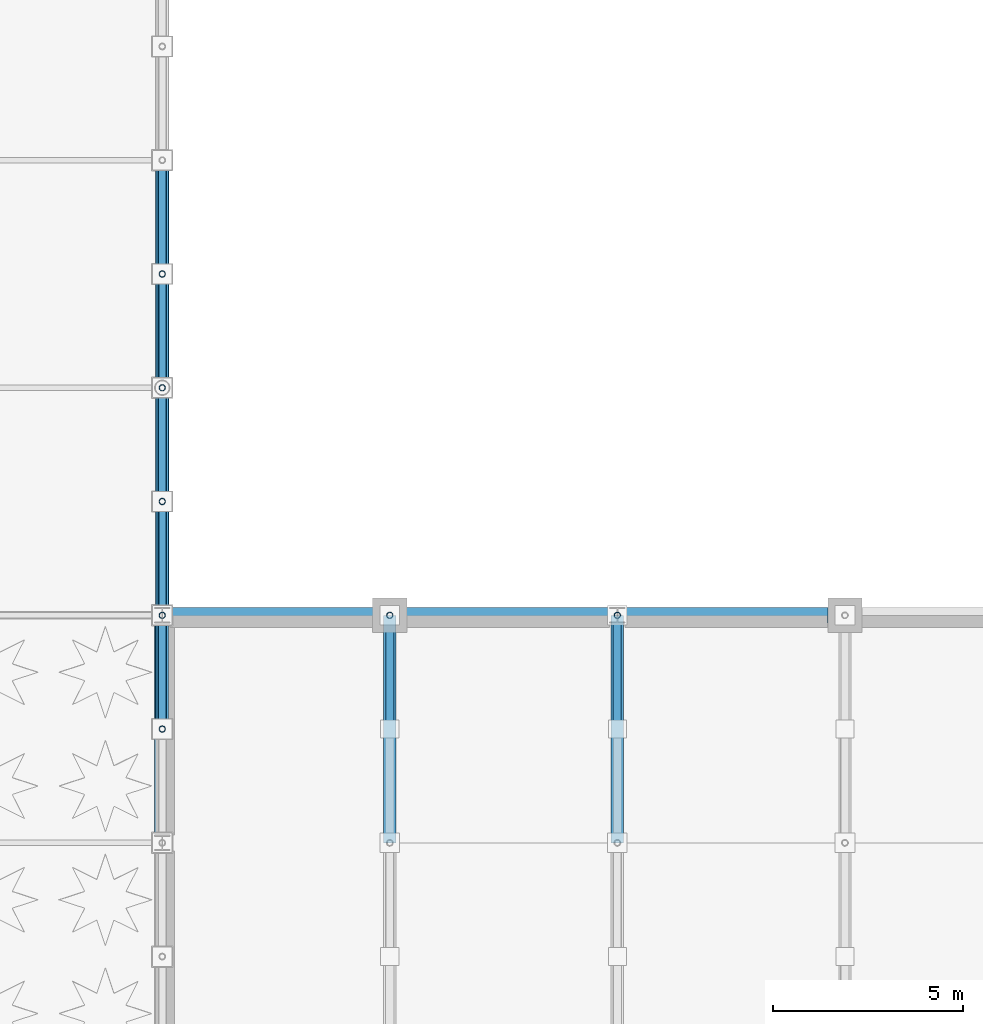
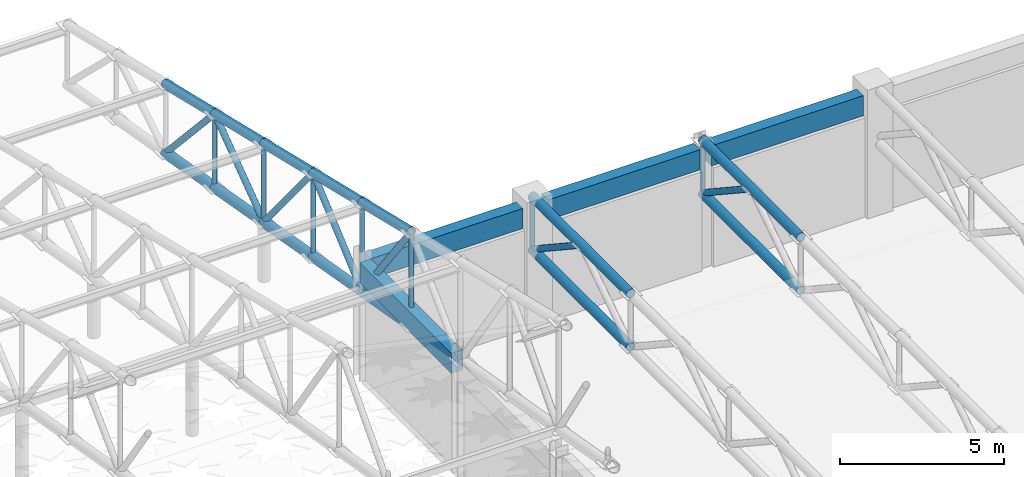
# One storey, part 31 of 123: 28 members, 4 beams.
"""IFC4 building model written with IfcOpenShell, lengths in metres."""

from ifc_helpers import new_model, si_unit, direction, frame, origin, origin_2d, place, context, subcontext, project, spatial, rectangle, hollow_circle, extrude, material, material_profile, profile_set, type_object, element, save


model = new_model("IFC4")

# Units and contexts
model_context = context("Model", 3, precision=1e-05, world=origin(), true_north=direction((0.0, 1.0)))
body_context = subcontext(model_context, "Body", "Model", "MODEL_VIEW")
ifc_project = project(units=[si_unit("LENGTHUNIT", "METRE"), si_unit("AREAUNIT", "SQUARE_METRE"), si_unit("VOLUMEUNIT", "CUBIC_METRE"), si_unit("PLANEANGLEUNIT", "RADIAN"), si_unit("MASSUNIT", "GRAM", prefix="KILO"), si_unit("THERMODYNAMICTEMPERATUREUNIT", "KELVIN"), si_unit("POWERUNIT", "WATT")], contexts=[model_context])

# Site, building, storey
site_placement = place(None, origin())
site = spatial("IfcSite", under=ifc_project, at=site_placement, CompositionType="ELEMENT")
building_placement = place(site_placement, origin())
building = spatial("IfcBuilding", under=site, at=building_placement, Name="Phaisarnlok Congress Hotel", CompositionType="ELEMENT")
storey_placement = place(building_placement, frame((0.0, 0.0, 15.0)))
storey = spatial("IfcBuildingStorey", under=building, at=storey_placement, Name="L03", CompositionType="ELEMENT", Elevation=15.0)

# Members
ifc_material_1 = material(Name="Steel S355", Category="steel")
ifc_material_profile_1 = material_profile(ifc_material_1, hollow_circle(Radius=0.084228515625, WallThickness=0.010009765625, at=origin_2d()), Name="CHS 168.3x10")
ifc_profile_set_1 = profile_set([ifc_material_profile_1], Name="Steel S355")
member_type_1 = type_object("IfcMemberType", Name="MEM-BRC-CHS168", PredefinedType="BRACE", material=ifc_profile_set_1)
for number, where, z_axis, x_axis, name in (
    (1, (102.0, 36.0, 2.64990234375), (0.0, 0.0, 1.0), (1.0, 0.0, 0.0), "Ballroom truss vertical web TB-01"),
    (2, (108.0, 36.0, 2.64990234375), (0.0, 0.0, 1.0), (1.0, 0.0, 0.0), "Ballroom truss vertical web TB-01"),
):
    element("IfcMember", number, at=place(storey_placement, frame(where, z_axis=z_axis, x_axis=x_axis)), inside=storey, type_object=member_type_1, Name=name, PredefinedType="BRACE", context=body_context, shape_type="SweptSolid", body=[
        extrude(hollow_circle(Radius=0.084228515625, WallThickness=0.010009765625, at=origin_2d()), origin(), (0.0, 0.0, 1.0), 1.97998046875),
    ])
member_1_placement = place(storey_placement, frame((96.0, 45.0, 1.60009765625), z_axis=(0.0, 0.0, 1.0), x_axis=(1.0, 0.0, 0.0)))
element("IfcMember", 3, at=member_1_placement, inside=storey, type_object=member_type_1, Name="South wing roof truss vertical web", PredefinedType="BRACE", context=body_context, shape_type="SweptSolid", body=[
    extrude(hollow_circle(Radius=0.084228515625, WallThickness=0.010009765625, at=origin_2d()), origin(), (0.0, 0.0, 1.0), 2.748046875),
])
member_2_placement = place(storey_placement, frame((96.0, 42.0, 2.13330078125), z_axis=(0.0, 0.0, 1.0), x_axis=(1.0, 0.0, 0.0)))
element("IfcMember", 4, at=member_2_placement, inside=storey, type_object=member_type_1, Name="South wing roof truss vertical web", PredefinedType="BRACE", context=body_context, shape_type="SweptSolid", body=[
    extrude(hollow_circle(Radius=0.084228515625, WallThickness=0.010009765625, at=origin_2d()), origin(), (0.0, 0.0, 1.0), 2.930908203125),
])
member_3_placement = place(storey_placement, frame((96.0, 39.0, 2.666748046875), z_axis=(0.0, 0.0, 1.0), x_axis=(1.0, 0.0, 0.0)))
element("IfcMember", 5, at=member_3_placement, inside=storey, type_object=member_type_1, Name="South wing roof truss vertical web", PredefinedType="BRACE", context=body_context, shape_type="SweptSolid", body=[
    extrude(hollow_circle(Radius=0.084228515625, WallThickness=0.010009765625, at=origin_2d()), origin(), (0.0, 0.0, 1.0), 3.113525390625),
])
member_4_placement = place(storey_placement, frame((96.0, 36.0, 3.199951171875), z_axis=(0.0, 0.0, 1.0), x_axis=(1.0, 0.0, 0.0)))
element("IfcMember", 6, at=member_4_placement, inside=storey, type_object=member_type_1, Name="South wing roof truss vertical web", PredefinedType="BRACE", context=body_context, shape_type="SweptSolid", body=[
    extrude(hollow_circle(Radius=0.084228515625, WallThickness=0.010009765625, at=origin_2d()), origin(), (0.0, 0.0, 1.0), 3.29638671875),
])
member_5_placement = place(storey_placement, frame((96.0, 33.0, 3.7333984375), z_axis=(0.0, 0.0, 1.0), x_axis=(1.0, 0.0, 0.0)))
element("IfcMember", 7, at=member_5_placement, inside=storey, type_object=member_type_1, Name="South wing roof truss vertical web", PredefinedType="BRACE", context=body_context, shape_type="SweptSolid", body=[
    extrude(hollow_circle(Radius=0.084228515625, WallThickness=0.010009765625, at=origin_2d()), origin(), (0.0, 0.0, 1.0), 3.47900390625),
])
ifc_material_profile_2 = material_profile(ifc_material_1, hollow_circle(Radius=0.109619140625, WallThickness=0.012451171875, at=origin_2d()), Name="CHS 219.1x12.5")
ifc_profile_set_2 = profile_set([ifc_material_profile_2], Name="Steel S355")
member_type_2 = type_object("IfcMemberType", Name="MEM-BRC-CHS219", PredefinedType="BRACE", material=ifc_profile_set_2)
for number, where, z_axis, x_axis, name in (
    (8, (102.0, 36.0, 2.64990234375), (0.0, -0.834611904619, 0.550838423377), (1.0, 0.0, 0.0), "Ballroom truss diagonal web TB-02"),
    (9, (108.0, 36.0, 2.64990234375), (0.0, -0.834611904619, 0.550838423377), (1.0, 0.0, 0.0), "Ballroom truss diagonal web TB-02"),
):
    element("IfcMember", number, at=place(storey_placement, frame(where, z_axis=z_axis, x_axis=x_axis)), inside=storey, type_object=member_type_2, Name=name, PredefinedType="BRACE", context=body_context, shape_type="SweptSolid", body=[
        extrude(hollow_circle(Radius=0.109619140625, WallThickness=0.012451171875, at=origin_2d()), origin(), (0.0, 0.0, 1.0), 3.594482421875),
    ])
member_6_placement = place(storey_placement, frame((96.0, 48.0, 1.066650390625), z_axis=(0.0, -0.674741853636, 0.738053813046), x_axis=(1.0, 0.0, 0.0)))
element("IfcMember", 10, at=member_6_placement, inside=storey, type_object=member_type_2, Name="South wing roof truss diagonal brace", PredefinedType="BRACE", context=body_context, shape_type="SweptSolid", body=[
    extrude(hollow_circle(Radius=0.109619140625, WallThickness=0.012451171875, at=origin_2d()), origin(), (0.0, 0.0, 1.0), 4.446044921875),
])
member_7_placement = place(storey_placement, frame((96.0, 42.0, 2.13330078125), z_axis=(0.0, 0.804502572665, 0.593949164975), x_axis=(-1.0, 0.0, 0.0)))
element("IfcMember", 11, at=member_7_placement, inside=storey, type_object=member_type_2, Name="South wing roof truss diagonal brace", PredefinedType="BRACE", context=body_context, shape_type="SweptSolid", body=[
    extrude(hollow_circle(Radius=0.109619140625, WallThickness=0.012451171875, at=origin_2d()), origin(), (0.0, 0.0, 1.0), 3.72900390625),
])
member_8_placement = place(storey_placement, frame((96.0, 42.0, 2.13330078125), z_axis=(0.0, -0.635279491177, 0.772282311133), x_axis=(1.0, 0.0, 0.0)))
element("IfcMember", 12, at=member_8_placement, inside=storey, type_object=member_type_2, Name="South wing roof truss diagonal brace", PredefinedType="BRACE", context=body_context, shape_type="SweptSolid", body=[
    extrude(hollow_circle(Radius=0.109619140625, WallThickness=0.012451171875, at=origin_2d()), origin(), (0.0, 0.0, 1.0), 4.722412109375),
])
member_9_placement = place(storey_placement, frame((96.0, 36.0, 3.199951171875), z_axis=(0.0, 0.758144932989, 0.652086083721), x_axis=(-1.0, 0.0, 0.0)))
element("IfcMember", 13, at=member_9_placement, inside=storey, type_object=member_type_2, Name="South wing roof truss diagonal brace", PredefinedType="BRACE", context=body_context, shape_type="SweptSolid", body=[
    extrude(hollow_circle(Radius=0.109619140625, WallThickness=0.012451171875, at=origin_2d()), origin(), (0.0, 0.0, 1.0), 3.95703125),
])
member_10_placement = place(storey_placement, frame((96.0, 36.0, 3.199951171875), z_axis=(0.0, -0.598806398303, 0.800893811533), x_axis=(1.0, 0.0, 0.0)))
element("IfcMember", 14, at=member_10_placement, inside=storey, type_object=member_type_2, Name="South wing roof truss diagonal brace", PredefinedType="BRACE", context=body_context, shape_type="SweptSolid", body=[
    extrude(hollow_circle(Radius=0.109619140625, WallThickness=0.012451171875, at=origin_2d()), origin(), (0.0, 0.0, 1.0), 5.010009765625),
])
ifc_material_profile_3 = material_profile(ifc_material_1, hollow_circle(Radius=0.161865234375, WallThickness=0.01611328125, at=origin_2d()), Name="CHS 323.9x16")
ifc_profile_set_3 = profile_set([ifc_material_profile_3], Name="Steel S355")
member_type_3 = type_object("IfcMemberType", Name="MEM-CHD-CHS324", PredefinedType="CHORD", material=ifc_profile_set_3)
for number, where, z_axis, x_axis, name in (
    (15, (102.0, 30.0, 4.6298828125), (0.0, 1.0, 0.0), (-1.0, 0.0, 0.0), "Ballroom truss top chord TC-02"),
    (16, (102.0, 30.0, 2.64990234375), (0.0, 1.0, 0.0), (-1.0, 0.0, 0.0), "Ballroom truss bottom chord TC-02"),
    (17, (108.0, 30.0, 4.6298828125), (0.0, 1.0, 0.0), (-1.0, 0.0, 0.0), "Ballroom truss top chord TC-02"),
    (18, (108.0, 30.0, 2.64990234375), (0.0, 1.0, 0.0), (-1.0, 0.0, 0.0), "Ballroom truss bottom chord TC-02"),
):
    element("IfcMember", number, at=place(storey_placement, frame(where, z_axis=z_axis, x_axis=x_axis)), inside=storey, type_object=member_type_3, Name=name, PredefinedType="CHORD", context=body_context, shape_type="SweptSolid", body=[
        extrude(hollow_circle(Radius=0.161865234375, WallThickness=0.01611328125, at=origin_2d()), origin(), (0.0, 0.0, 1.0), 6.0),
    ])
for number, where, z_axis, x_axis, name in (
    (19, (96.0, 48.0, 3.632080078125), (0.0, -0.972676115692, 0.232166263617), (1.0, 0.0, 0.0), "South wing roof truss top chord"),
    (20, (96.0, 45.0, 4.34814453125), (0.0, -0.972676115692, 0.232166263617), (1.0, 0.0, 0.0), "South wing roof truss top chord"),
    (21, (96.0, 42.0, 5.064208984375), (0.0, -0.972676115692, 0.232166263617), (1.0, 0.0, 0.0), "South wing roof truss top chord"),
    (22, (96.0, 39.0, 5.7802734375), (0.0, -0.972676115692, 0.232166263617), (1.0, 0.0, 0.0), "South wing roof truss top chord"),
    (23, (96.0, 36.0, 6.496337890625), (0.0, -0.972676115692, 0.232166263617), (1.0, 0.0, 0.0), "South wing roof truss top chord"),
):
    element("IfcMember", number, at=place(storey_placement, frame(where, z_axis=z_axis, x_axis=x_axis)), inside=storey, type_object=member_type_3, Name=name, PredefinedType="CHORD", context=body_context, shape_type="SweptSolid", body=[
        extrude(hollow_circle(Radius=0.161865234375, WallThickness=0.01611328125, at=origin_2d()), origin(), (0.0, 0.0, 1.0), 3.084228515625),
    ])
ifc_material_profile_4 = material_profile(ifc_material_1, hollow_circle(Radius=0.177734375, WallThickness=0.02001953125, at=origin_2d()), Name="CHS 355.6x20")
ifc_profile_set_4 = profile_set([ifc_material_profile_4], Name="Steel S355")
member_type_4 = type_object("IfcMemberType", Name="MEM-CHD-CHS356", PredefinedType="CHORD", material=ifc_profile_set_4)
for number, where, z_axis, x_axis, name in (
    (24, (96.0, 48.0, 1.066650390625), (0.0, -0.984556063496, 0.175069579976), (1.0, 0.0, 0.0), "South wing roof truss bottom chord"),
    (25, (96.0, 45.0, 1.60009765625), (0.0, -0.984569871158, 0.174991910694), (1.0, 0.0, 0.0), "South wing roof truss bottom chord"),
    (26, (96.0, 42.0, 2.13330078125), (0.0, -0.984556063496, 0.175069579976), (1.0, 0.0, 0.0), "South wing roof truss bottom chord"),
    (27, (96.0, 39.0, 2.666748046875), (0.0, -0.984569871158, 0.174991910694), (1.0, 0.0, 0.0), "South wing roof truss bottom chord"),
    (28, (96.0, 36.0, 3.199951171875), (0.0, -0.984556063496, 0.175069579976), (1.0, 0.0, 0.0), "South wing roof truss bottom chord"),
):
    element("IfcMember", number, at=place(storey_placement, frame(where, z_axis=z_axis, x_axis=x_axis)), inside=storey, type_object=member_type_4, Name=name, PredefinedType="CHORD", context=body_context, shape_type="SweptSolid", body=[
        extrude(hollow_circle(Radius=0.177734375, WallThickness=0.02001953125, at=origin_2d()), origin(), (0.0, 0.0, 1.0), 3.047119140625),
    ])

# Beams
ifc_material_2 = material(Name="Concrete C40/50", Category="concrete")
ifc_material_profile_5 = material_profile(ifc_material_2, rectangle(XDim=0.39990234375, YDim=0.75, at=origin_2d()), Name="RC 400x750")
ifc_profile_set_5 = profile_set([ifc_material_profile_5], Name="Concrete C40/50")
beam_type = type_object("IfcBeamType", Name="SP-RC-400x750", PredefinedType="SPANDREL", material=ifc_profile_set_5)
beam_placement = place(storey_placement, frame((96.0, 30.202880859375, 4.074951171875), z_axis=(0.0, 1.0, 0.0), x_axis=(-1.0, 0.0, 0.0)))
element("IfcBeam", 29, at=beam_placement, inside=storey, type_object=beam_type, Name="Beam SP-02", PredefinedType="SPANDREL", context=body_context, shape_type="SweptSolid", body=[
    extrude(rectangle(XDim=0.39990234375, YDim=0.75, at=origin_2d()), origin(), (0.0, 0.0, 1.0), 5.59423828125),
])
for number, where, z_axis, x_axis, name in (
    (30, (96.197998046875, 36.0, 4.074951171875), (1.0, 0.0, 0.0), (0.0, 1.0, 0.0), "Beam SP-02"),
    (31, (102.445068359375, 36.0, 4.074951171875), (1.0, 0.0, 0.0), (0.0, 1.0, 0.0), "Beam SP-02"),
    (32, (108.197998046875, 36.0, 4.074951171875), (1.0, 0.0, 0.0), (0.0, 1.0, 0.0), "Beam SP-02"),
):
    element("IfcBeam", number, at=place(storey_placement, frame(where, z_axis=z_axis, x_axis=x_axis)), inside=storey, type_object=beam_type, Name=name, PredefinedType="SPANDREL", context=body_context, shape_type="SweptSolid", body=[
        extrude(rectangle(XDim=0.39990234375, YDim=0.75, at=origin_2d()), origin(), (0.0, 0.0, 1.0), 5.35693359375),
    ])

save(model, "model.ifc")
